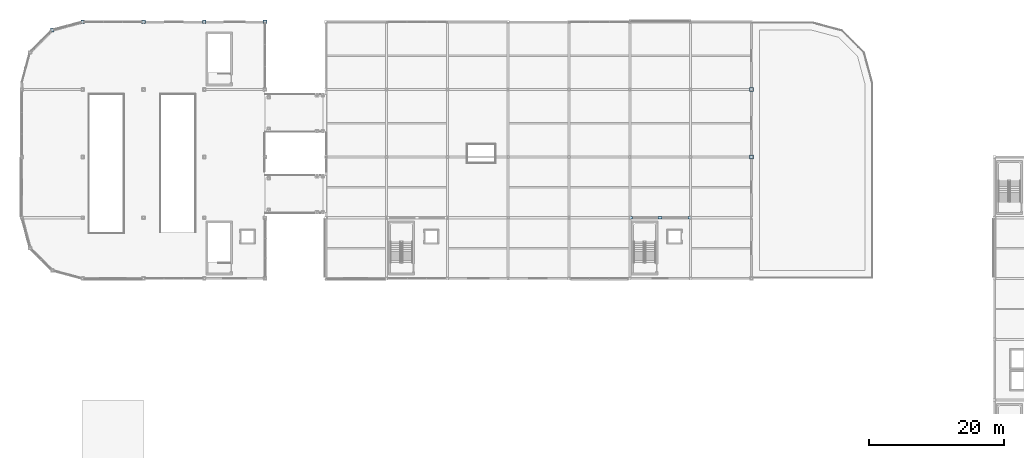
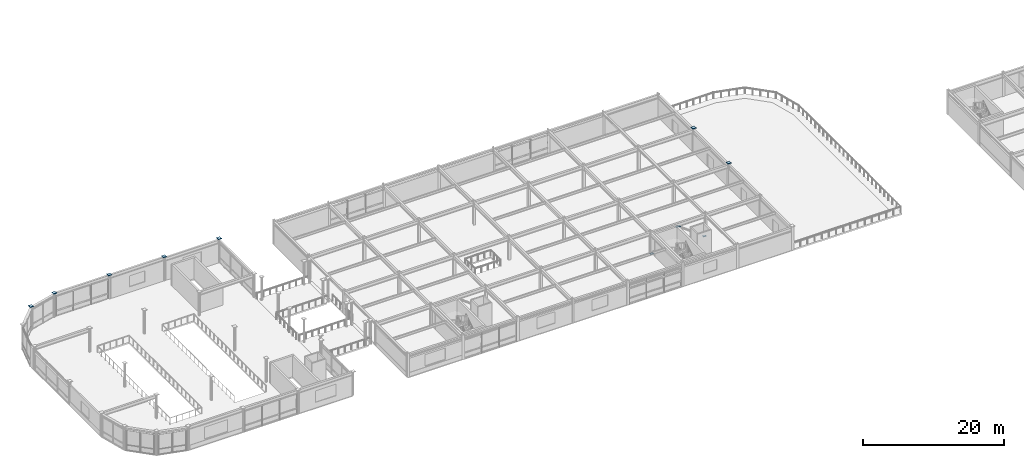
# One storey, part 35 of 53: 10 plates.
"""IFC4 building model written with IfcOpenShell, lengths in metres."""

from ifc_helpers import new_model, si_unit, direction, frame, origin, origin_2d, place, context, subcontext, project, spatial, rectangle, extrude, material, layer, layer_set, type_object, element, save


model = new_model("IFC4")

# Units and contexts
model_context = context("Model", 3, precision=1e-05, world=origin(), true_north=direction((0.0, 1.0)))
body_context = subcontext(model_context, "Body", "Model", "MODEL_VIEW")
ifc_project = project(units=[si_unit("LENGTHUNIT", "METRE"), si_unit("AREAUNIT", "SQUARE_METRE"), si_unit("VOLUMEUNIT", "CUBIC_METRE"), si_unit("PLANEANGLEUNIT", "RADIAN"), si_unit("MASSUNIT", "GRAM", prefix="KILO")], contexts=[model_context])

# Site, building, storey
site_placement = place(None, origin())
site = spatial("IfcSite", under=ifc_project, at=site_placement, CompositionType="ELEMENT")
building_placement = place(site_placement, origin())
building = spatial("IfcBuilding", under=site, at=building_placement, Name="Suzunagisa Mobility Hub", CompositionType="ELEMENT")
storey_placement = place(building_placement, frame((0.0, 0.0, 17.699951171875)))
storey = spatial("IfcBuildingStorey", under=building, at=storey_placement, Name="L04", CompositionType="ELEMENT", Elevation=17.699951171875)

# Plates
ifc_material = material(Name="Steel SN490B", Category="steel")
ifc_layer_1 = layer(ifc_material, 0.02392578125)
ifc_layer_set_1 = layer_set([ifc_layer_1], Name="Steel SN490B")
plate_type_1 = type_object("IfcPlateType", Name="Structural Steel Plate SP-01 550x550x24", PredefinedType="USERDEFINED", material=ifc_layer_set_1)
for number, where, z_axis, x_axis, name in (
    (1, (4.5, 116.794189453125, 4.14013671875), (0.0, 0.0, 1.0), (1.0, 0.0, 0.0), "L04 Column Cap Plate CP-19"),
    (2, (9.0, 118.0, 4.14013671875), (0.0, 0.0, 1.0), (1.0, 0.0, 0.0), "L04 Column Cap Plate CP-32"),
    (3, (18.0, 118.0, 4.14013671875), (0.0, 0.0, 1.0), (1.0, 0.0, 0.0), "L04 Column Cap Plate CP-53"),
    (4, (27.0, 118.0, 4.14013671875), (0.0, 0.0, 1.0), (1.0, 0.0, 0.0), "L04 Column Cap Plate CP-74"),
    (5, (36.0, 118.0, 4.14013671875), (0.0, 0.0, 1.0), (1.0, 0.0, 0.0), "L04 Column Cap Plate CP-89"),
    (6, (108.0, 98.0, 4.14013671875), (0.0, 0.0, 1.0), (1.0, 0.0, 0.0), "L04 Column Cap Plate CP-206"),
    (7, (108.0, 108.0, 4.14013671875), (0.0, 0.0, 1.0), (1.0, 0.0, 0.0), "L04 Column Cap Plate CP-207"),
):
    element("IfcPlate", number, at=place(storey_placement, frame(where, z_axis=z_axis, x_axis=x_axis)), inside=storey, type_object=plate_type_1, Name=name, ObjectType="BASE PLATE", PredefinedType="USERDEFINED", context=body_context, shape_type="SweptSolid", body=[
        extrude(rectangle(XDim=0.550048828125, YDim=0.550048828125, at=origin_2d()), origin(), (0.0, 0.0, 1.0), 0.02392578125),
    ])
ifc_layer_2 = layer(ifc_material, 0.028076171875)
ifc_layer_set_2 = layer_set([ifc_layer_2], Name="Steel SN490B")
plate_type_2 = type_object("IfcPlateType", Name="Structural Steel Plate SP-04 480x320x28", PredefinedType="USERDEFINED", material=ifc_layer_set_2)
for number, where, z_axis, x_axis, name in (
    (8, (90.169921875, 89.0, 0.10595703125), (0.0, 0.0, 1.0), (1.0, 0.0, 0.0), "L04 Brace Foot Gusset Plate FGP-123.1"),
    (9, (98.830078125, 89.0, 0.10595703125), (0.0, 0.0, 1.0), (1.0, 0.0, 0.0), "L04 Brace Foot Gusset Plate FGP-123.2"),
):
    element("IfcPlate", number, at=place(storey_placement, frame(where, z_axis=z_axis, x_axis=x_axis)), inside=storey, type_object=plate_type_2, Name=name, ObjectType="GUSSET PLATE", PredefinedType="USERDEFINED", context=body_context, shape_type="SweptSolid", body=[
        extrude(rectangle(XDim=0.47998046875, YDim=0.320068359375, at=origin_2d()), origin(), (0.0, 0.0, 1.0), 0.028076171875),
    ])
ifc_layer_3 = layer(ifc_material, 0.028076171875)
ifc_layer_set_3 = layer_set([ifc_layer_3], Name="Steel SN490B")
plate_type_3 = type_object("IfcPlateType", Name="Structural Steel Plate SP-06 600x400x28", PredefinedType="USERDEFINED", material=ifc_layer_set_3)
plate_placement = place(storey_placement, frame((94.5, 89.0, 3.30419921875), z_axis=(0.0, 0.0, 1.0), x_axis=(1.0, 0.0, 0.0)))
element("IfcPlate", 10, at=plate_placement, inside=storey, type_object=plate_type_3, Name="L04 Brace Apex Gusset GP-123", ObjectType="GUSSET PLATE", PredefinedType="USERDEFINED", context=body_context, shape_type="SweptSolid", body=[
    extrude(rectangle(XDim=0.60009765625, YDim=0.39990234375, at=origin_2d()), origin(), (0.0, 0.0, 1.0), 0.028076171875),
])

save(model, "model.ifc")
